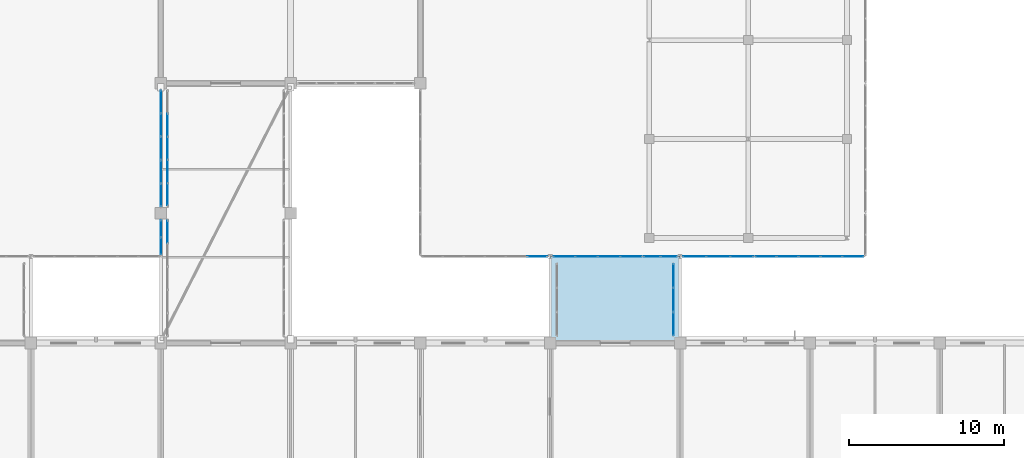
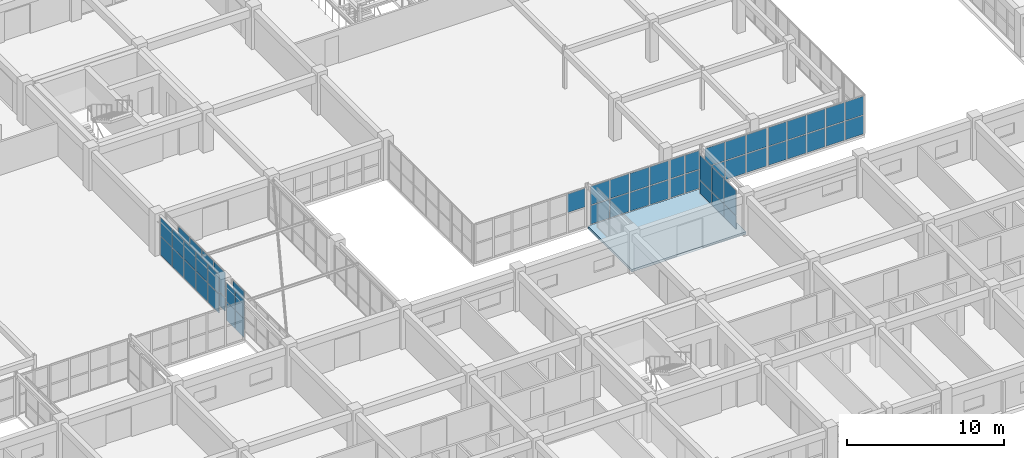
# One storey, part 149 of 200: 59 plates, 1 slab, 10 elements without a shape of their own.
"""IFC4 building model written with IfcOpenShell, lengths in metres."""

import ifcopenshell
import ifcopenshell.guid

model = None  # the IFC model being written
_history = None  # IfcOwnerHistory: only IFC2X3 demands one
_inside = {}  # id of a spatial element -> (the spatial element, [elements in it])
_under = {}  # id of a project, library or spatial element -> (it, [spatial elements below it])
_declared = {}  # id of a project -> (the project, [libraries it declares])
_typed = {}  # id of a type object -> (the type object, [elements of that type])
_made_of = {}  # id of a material, layer set ... -> (it, [elements and type objects made of it])


def new_model(schema):
    """Start an empty IFC model of exactly this schema.

    Asked for "IFC4X3", IfcOpenShell would pick the latest addendum, in which some entities
    have other attributes; the version numbers below select the first issue.
    IFC2X3 requires an IfcOwnerHistory on every rooted entity: one is made here for all.
    """
    global model, _history
    if schema == "IFC4X3":
        model = ifcopenshell.file(schema_version=(4, 3, 0, 0))
    else:
        model = ifcopenshell.file(schema=schema)
    _inside.clear()
    _under.clear()
    _declared.clear()
    _typed.clear()
    _made_of.clear()
    _history = None
    if model.schema == "IFC2X3":
        org = make("IfcOrganization", Name="unknown")
        user = make(
            "IfcPersonAndOrganization",
            ThePerson=make("IfcPerson", FamilyName="unknown"),
            TheOrganization=org,
        )
        app = make(
            "IfcApplication",
            ApplicationDeveloper=org,
            Version="unknown",
            ApplicationFullName="unknown",
            ApplicationIdentifier="unknown",
        )
        _history = make(
            "IfcOwnerHistory",
            OwningUser=user,
            OwningApplication=app,
            ChangeAction="ADDED",
            CreationDate=0,
        )
    return model


def make(cls, **values):
    """One entity of the class cls with the attributes given. An attribute that is None is left unset."""
    return model.create_entity(
        cls, **{name: value for name, value in values.items() if value is not None}
    )


def rooted(cls, **values):
    """An entity with a GlobalId (a new one), such as an element, a storey or a relation."""
    return make(cls, GlobalId=ifcopenshell.guid.new(), OwnerHistory=_history, **values)


def si_unit(unit_type, name, prefix=None):
    """IfcSIUnit, for example si_unit("LENGTHUNIT", "METRE", prefix="MILLI")."""
    return make("IfcSIUnit", UnitType=unit_type, Prefix=prefix, Name=name)


def assignment(units):
    """IfcUnitAssignment: the units of a project."""
    return None if units is None else make("IfcUnitAssignment", Units=units)


def point(xyz):
    """IfcCartesianPoint."""
    return None if xyz is None else make("IfcCartesianPoint", Coordinates=xyz)


def direction(xyz):
    """IfcDirection."""
    return None if xyz is None else make("IfcDirection", DirectionRatios=xyz)


def frame(location, z_axis=None, x_axis=None):
    """IfcAxis2Placement3D, a coordinate frame: its origin and axes. An axis left out is left unset."""
    return make(
        "IfcAxis2Placement3D",
        Location=point(location),
        Axis=direction(z_axis),
        RefDirection=direction(x_axis),
    )


def frame_2d(location, x_axis=None):
    """IfcAxis2Placement2D, a coordinate frame in the plane: its origin and x axis."""
    return make(
        "IfcAxis2Placement2D", Location=point(location), RefDirection=direction(x_axis)
    )


def origin():
    """The frame at (0, 0, 0) with its axes left unset."""
    return frame((0.0, 0.0, 0.0))


def origin_2d():
    """The frame at (0, 0) in the plane with its x axis left unset."""
    return frame_2d((0.0, 0.0))


def place(relative_to, where):
    """IfcLocalPlacement: puts the frame where relative to a parent placement (None: the world)."""
    return make(
        "IfcLocalPlacement", PlacementRelTo=relative_to, RelativePlacement=where
    )


def context(
    kind, dimensions, precision=None, world=None, true_north=None, identifier=None
):
    """IfcGeometricRepresentationContext, for example the 3D "Model" context."""
    return make(
        "IfcGeometricRepresentationContext",
        ContextIdentifier=identifier,
        ContextType=kind,
        CoordinateSpaceDimension=dimensions,
        Precision=precision,
        WorldCoordinateSystem=world,
        TrueNorth=true_north,
    )


def subcontext(parent, identifier, kind, view, scale=None):
    """IfcGeometricRepresentationSubContext, for example "Body" below "Model"."""
    return make(
        "IfcGeometricRepresentationSubContext",
        ContextIdentifier=identifier,
        ContextType=kind,
        ParentContext=parent,
        TargetScale=scale,
        TargetView=view,
    )


def project(units=None, contexts=None):
    """IfcProject with its units and contexts."""
    return rooted(
        "IfcProject",
        Name="project",
        RepresentationContexts=contexts,
        UnitsInContext=assignment(units),
    )


def spatial(cls, under=None, at=None, **own):
    """A site, building, storey or space (cls), placed at a placement, below another one or the project."""
    s = rooted(cls, ObjectPlacement=at, **own)
    if under is not None:
        _under.setdefault(under.id(), (under, []))[1].append(s)
    return s


def polyline(points):
    """IfcPolyline through the points."""
    return make("IfcPolyline", Points=[point(p) for p in points])


def profile(cls, at=None, kind="AREA", **sizes):
    """A parametric profile (cls). Its sizes go by their IFC names, for example OverallWidth=200.0."""
    return make(cls, ProfileType=kind, Position=at, **sizes)


def rectangle(**sizes):
    """IfcRectangleProfileDef."""
    return profile("IfcRectangleProfileDef", **sizes)


def outline(outer, holes=None, kind="AREA"):
    """IfcArbitraryClosedProfileDef: a profile drawn as a closed curve; with holes, ...WithVoids."""
    if holes is None:
        return make("IfcArbitraryClosedProfileDef", ProfileType=kind, OuterCurve=outer)
    return make(
        "IfcArbitraryProfileDefWithVoids",
        ProfileType=kind,
        OuterCurve=outer,
        InnerCurves=holes,
    )


def extrude(swept, where, along, depth):
    """IfcExtrudedAreaSolid: the profile swept, set in the frame where, extruded along a direction by depth."""
    return make(
        "IfcExtrudedAreaSolid",
        SweptArea=swept,
        Position=where,
        ExtrudedDirection=direction(along),
        Depth=depth,
    )


def shape(context_of_items, identifier, shape_type, items):
    """IfcShapeRepresentation: the items that make up one representation, for example the "Body"."""
    return make(
        "IfcShapeRepresentation",
        ContextOfItems=context_of_items,
        RepresentationIdentifier=identifier,
        RepresentationType=shape_type,
        Items=items,
    )


def material(Name=None, Category=None):
    """IfcMaterial."""
    return make("IfcMaterial", Name=Name, Category=Category)


def layer(
    of_material, thickness, ventilated=None, Name=None, Category=None, Priority=None
):
    """IfcMaterialLayer: one layer of a wall or slab, of a material (None: an air gap)."""
    return make(
        "IfcMaterialLayer",
        Material=of_material,
        LayerThickness=thickness,
        IsVentilated=ventilated,
        Name=Name,
        Category=Category,
        Priority=Priority,
    )


def layer_set(layers, Name=None):
    """IfcMaterialLayerSet."""
    return make("IfcMaterialLayerSet", MaterialLayers=layers, LayerSetName=Name)


def made_of(thing, what):
    """Note that an element or type object is made of a material, layer set ...; save() writes the relation."""
    if what is not None:
        _made_of.setdefault(what.id(), (what, []))[1].append(thing)
    return thing


def type_object(cls, material=None, **own):
    """A type object (cls), such as IfcWallType, which elements share."""
    return made_of(rooted(cls, **own), material)


def element(
    cls,
    number,
    at=None,
    inside=None,
    cuts=None,
    type_object=None,
    material=None,
    context=None,
    identifier="Body",
    shape_type=None,
    held_by="IfcProductDefinitionShape",
    body=None,
    shapes=None,
    **own,
):
    """One element of the class cls, such as IfcWall. Its Tag is "e" and its number.

    at: its placement. inside: the storey or other place that contains it. cuts: it is an
    opening in that element (IfcRelVoidsElement). A single representation is given by context,
    identifier, shape_type and body (its items); several are given by shapes. held_by: the class
    of the entity that holds the representations. save() writes the other relations.
    """
    e = rooted(cls, Tag="e%d" % number, ObjectPlacement=at, **own)
    if body is not None:
        shapes = [shape(context, identifier, shape_type, body)]
    if shapes is not None:
        e.Representation = make(held_by, Representations=shapes)
    if inside is not None:
        _inside.setdefault(inside.id(), (inside, []))[1].append(e)
    if cuts is not None:
        rooted(
            "IfcRelVoidsElement", RelatingBuildingElement=cuts, RelatedOpeningElement=e
        )
    if type_object is not None:
        _typed.setdefault(type_object.id(), (type_object, []))[1].append(e)
    return made_of(e, material)


def aggregate(whole, parts):
    """IfcRelAggregates: a whole, such as a stair, and the parts it consists of."""
    return rooted("IfcRelAggregates", RelatingObject=whole, RelatedObjects=parts)


def save(model, path):
    """Write the relations noted so far, then the file.

    IfcRelAggregates (storeys below a building ...), IfcRelContainedInSpatialStructure (elements
    in a storey), IfcRelDefinesByType, IfcRelAssociatesMaterial and IfcRelDeclares: one each for
    every whole, place, type object, material and project.
    """
    for whole, parts in _under.values():
        aggregate(whole, parts)
    for where, things in _inside.values():
        rooted(
            "IfcRelContainedInSpatialStructure",
            RelatedElements=things,
            RelatingStructure=where,
        )
    for kind, things in _typed.values():
        rooted("IfcRelDefinesByType", RelatedObjects=things, RelatingType=kind)
    for what, things in _made_of.values():
        rooted("IfcRelAssociatesMaterial", RelatedObjects=things, RelatingMaterial=what)
    for by, libraries in _declared.values():
        rooted("IfcRelDeclares", RelatingContext=by, RelatedDefinitions=libraries)
    model.write(path)


model = new_model("IFC4")

# Units and contexts
model_context = context("Model", 3, precision=1e-05, world=origin(), true_north=direction((0.0, 1.0)))
body_context = subcontext(model_context, "Body", "Model", "MODEL_VIEW")
ifc_project = project(units=[si_unit("LENGTHUNIT", "METRE"), si_unit("AREAUNIT", "SQUARE_METRE"), si_unit("VOLUMEUNIT", "CUBIC_METRE"), si_unit("PLANEANGLEUNIT", "RADIAN"), si_unit("MASSUNIT", "GRAM", prefix="KILO")], contexts=[model_context])

# Site, building, storey
site_placement = place(None, origin())
site = spatial("IfcSite", under=ifc_project, at=site_placement, CompositionType="ELEMENT")
building_placement = place(site_placement, origin())
building = spatial("IfcBuilding", under=site, at=building_placement, Name="Trelvath General Hospital", CompositionType="ELEMENT")
storey_placement = place(building_placement, frame((0.0, 0.0, 4.800048828125)))
storey = spatial("IfcBuildingStorey", under=building, at=storey_placement, Name="L01", CompositionType="ELEMENT", Elevation=4.800048828125)

# Slab
ifc_material_1 = material(Name="Concrete C35/45", Category="concrete")
ifc_layer_1 = layer(ifc_material_1, 0.18994140625)
ifc_layer_set_1 = layer_set([ifc_layer_1], Name="Concrete C35/45")
slab_type = type_object("IfcSlabType", Name="BridgeDeck 190", PredefinedType="FLOOR", material=ifc_layer_set_1)
slab_placement = place(storey_placement, frame((0.0, 0.0, -0.18994140625)))
element("IfcSlab", 1, at=slab_placement, inside=storey, type_object=slab_type, Name="Courtyard Bridge Deck BRG-S-E L01", PredefinedType="FLOOR", context=body_context, shape_type="SweptSolid", body=[
    extrude(outline(polyline([(100.800048828125, 25.199951171875), (109.199951171875, 25.199951171875), (109.199951171875, 30.800048828125), (100.800048828125, 30.800048828125), (100.800048828125, 25.199951171875)])), origin(), (0.0, 0.0, 1.0), 0.18994140625),
])

# Curtain wall, plates
ifc_material_2 = material(Name="Anodised aluminium and low-E glass", Category="aluminium")
ifc_layer_2 = layer(ifc_material_2, 0.14990234375)
ifc_layer_set_2 = layer_set([ifc_layer_2], Name="Anodised aluminium and low-E glass")
curtain_wall_type_1 = type_object("IfcCurtainWallType", Name="CW CrystalCube 232 306 15", PredefinedType="USERDEFINED", material=ifc_layer_set_2)
curtain_wall_1_placement = place(storey_placement, origin())
curtain_wall_1 = element("IfcCurtainWall", 2, at=curtain_wall_1_placement, inside=storey, type_object=curtain_wall_type_1, Name="Crystal Cube Curtain Wall CUBE-W-T0 E1 L01", ObjectType="Unitised Glazed Curtain Wall", PredefinedType="USERDEFINED")
ifc_material_3 = material(Name="Low-E laminated glass", Category="glass")
ifc_layer_3 = layer(ifc_material_3, 0.028076171875)
ifc_layer_set_3 = layer_set([ifc_layer_3], Name="Low-E laminated glass")
plate_type = type_object("IfcPlateType", Name="CurtainPanel Glass28", PredefinedType="CURTAIN_PANEL", material=ifc_layer_set_3)
plate_1_placement = place(storey_placement, frame((75.60009765625, 32.601318359375, 0.06005859375), z_axis=(0.0, 0.0, 1.0), x_axis=(0.0, -1.0, 0.0)))
plate_1 = element("IfcPlate", 3, at=plate_1_placement, type_object=plate_type, Name="CW-139 panel 1.1", PredefinedType="CURTAIN_PANEL", context=body_context, shape_type="SweptSolid", body=[
    extrude(rectangle(XDim=1.0673828125, YDim=0.028076171875, at=origin_2d()), origin(), (0.0, 0.0, 1.0), 1.43994140625),
])
plate_2_placement = place(storey_placement, frame((75.60009765625, 32.601318359375, 1.56005859375), z_axis=(0.0, 0.0, 1.0), x_axis=(0.0, -1.0, 0.0)))
plate_2 = element("IfcPlate", 4, at=plate_2_placement, type_object=plate_type, Name="CW-139 panel 1.2", PredefinedType="CURTAIN_PANEL", context=body_context, shape_type="SweptSolid", body=[
    extrude(rectangle(XDim=1.0673828125, YDim=0.028076171875, at=origin_2d()), origin(), (0.0, 0.0, 1.0), 1.43994140625),
])
plate_3_placement = place(storey_placement, frame((75.60009765625, 31.4736328125, 0.06005859375), z_axis=(0.0, 0.0, 1.0), x_axis=(0.0, -1.0, 0.0)))
plate_3 = element("IfcPlate", 5, at=plate_3_placement, type_object=plate_type, Name="CW-139 panel 2.1", PredefinedType="CURTAIN_PANEL", context=body_context, shape_type="SweptSolid", body=[
    extrude(rectangle(XDim=1.0673828125, YDim=0.028076171875, at=origin_2d()), origin(), (0.0, 0.0, 1.0), 1.43994140625),
])
plate_4_placement = place(storey_placement, frame((75.60009765625, 31.4736328125, 1.56005859375), z_axis=(0.0, 0.0, 1.0), x_axis=(0.0, -1.0, 0.0)))
plate_4 = element("IfcPlate", 6, at=plate_4_placement, type_object=plate_type, Name="CW-139 panel 2.2", PredefinedType="CURTAIN_PANEL", context=body_context, shape_type="SweptSolid", body=[
    extrude(rectangle(XDim=1.0673828125, YDim=0.028076171875, at=origin_2d()), origin(), (0.0, 0.0, 1.0), 1.43994140625),
])
aggregate(curtain_wall_1, [plate_1, plate_2, plate_3, plate_4])

ifc_material_4 = material(Name="Anodised aluminium and low-E glass", Category="aluminium")
ifc_layer_4 = layer(ifc_material_4, 0.14990234375)
ifc_layer_set_4 = layer_set([ifc_layer_4], Name="Anodised aluminium and low-E glass")
curtain_wall_type_2 = type_object("IfcCurtainWallType", Name="CW CrystalCube 759 306 15", PredefinedType="USERDEFINED", material=ifc_layer_set_4)
curtain_wall_2_placement = place(storey_placement, origin())
curtain_wall_2 = element("IfcCurtainWall", 7, at=curtain_wall_2_placement, inside=storey, type_object=curtain_wall_type_2, Name="Crystal Cube Curtain Wall CUBE-W-T0 E2 L01", ObjectType="Unitised Glazed Curtain Wall", PredefinedType="USERDEFINED")
plate_5_placement = place(storey_placement, frame((75.60009765625, 40.821044921875, 0.06005859375), z_axis=(0.0, 0.0, 1.0), x_axis=(0.0, -1.0, 0.0)))
plate_5 = element("IfcPlate", 8, at=plate_5_placement, type_object=plate_type, Name="CW-141 panel 1.1", PredefinedType="CURTAIN_PANEL", context=body_context, shape_type="SweptSolid", body=[
    extrude(rectangle(XDim=1.427978515625, YDim=0.028076171875, at=origin_2d()), origin(), (0.0, 0.0, 1.0), 1.43994140625),
])
plate_6_placement = place(storey_placement, frame((75.60009765625, 40.821044921875, 1.56005859375), z_axis=(0.0, 0.0, 1.0), x_axis=(0.0, -1.0, 0.0)))
plate_6 = element("IfcPlate", 9, at=plate_6_placement, type_object=plate_type, Name="CW-141 panel 1.2", PredefinedType="CURTAIN_PANEL", context=body_context, shape_type="SweptSolid", body=[
    extrude(rectangle(XDim=1.427978515625, YDim=0.028076171875, at=origin_2d()), origin(), (0.0, 0.0, 1.0), 1.43994140625),
])
plate_7_placement = place(storey_placement, frame((75.60009765625, 39.318115234375, 0.06005859375), z_axis=(0.0, 0.0, 1.0), x_axis=(0.0, -1.0, 0.0)))
plate_7 = element("IfcPlate", 10, at=plate_7_placement, type_object=plate_type, Name="CW-141 panel 2.1", PredefinedType="CURTAIN_PANEL", context=body_context, shape_type="SweptSolid", body=[
    extrude(rectangle(XDim=1.4580078125, YDim=0.028076171875, at=origin_2d()), origin(), (0.0, 0.0, 1.0), 1.43994140625),
])
plate_8_placement = place(storey_placement, frame((75.60009765625, 39.318115234375, 1.56005859375), z_axis=(0.0, 0.0, 1.0), x_axis=(0.0, -1.0, 0.0)))
plate_8 = element("IfcPlate", 11, at=plate_8_placement, type_object=plate_type, Name="CW-141 panel 2.2", PredefinedType="CURTAIN_PANEL", context=body_context, shape_type="SweptSolid", body=[
    extrude(rectangle(XDim=1.4580078125, YDim=0.028076171875, at=origin_2d()), origin(), (0.0, 0.0, 1.0), 1.43994140625),
])
plate_9_placement = place(storey_placement, frame((75.60009765625, 37.800048828125, 0.06005859375), z_axis=(0.0, 0.0, 1.0), x_axis=(0.0, -1.0, 0.0)))
plate_9 = element("IfcPlate", 12, at=plate_9_placement, type_object=plate_type, Name="CW-141 panel 3.1", PredefinedType="CURTAIN_PANEL", context=body_context, shape_type="SweptSolid", body=[
    extrude(rectangle(XDim=1.4580078125, YDim=0.028076171875, at=origin_2d()), origin(), (0.0, 0.0, 1.0), 1.43994140625),
])
plate_10_placement = place(storey_placement, frame((75.60009765625, 37.800048828125, 1.56005859375), z_axis=(0.0, 0.0, 1.0), x_axis=(0.0, -1.0, 0.0)))
plate_10 = element("IfcPlate", 13, at=plate_10_placement, type_object=plate_type, Name="CW-141 panel 3.2", PredefinedType="CURTAIN_PANEL", context=body_context, shape_type="SweptSolid", body=[
    extrude(rectangle(XDim=1.4580078125, YDim=0.028076171875, at=origin_2d()), origin(), (0.0, 0.0, 1.0), 1.43994140625),
])
plate_11_placement = place(storey_placement, frame((75.60009765625, 36.281982421875, 0.06005859375), z_axis=(0.0, 0.0, 1.0), x_axis=(0.0, -1.0, 0.0)))
plate_11 = element("IfcPlate", 14, at=plate_11_placement, type_object=plate_type, Name="CW-141 panel 4.1", PredefinedType="CURTAIN_PANEL", context=body_context, shape_type="SweptSolid", body=[
    extrude(rectangle(XDim=1.4580078125, YDim=0.028076171875, at=origin_2d()), origin(), (0.0, 0.0, 1.0), 1.43994140625),
])
plate_12_placement = place(storey_placement, frame((75.60009765625, 36.281982421875, 1.56005859375), z_axis=(0.0, 0.0, 1.0), x_axis=(0.0, -1.0, 0.0)))
plate_12 = element("IfcPlate", 15, at=plate_12_placement, type_object=plate_type, Name="CW-141 panel 4.2", PredefinedType="CURTAIN_PANEL", context=body_context, shape_type="SweptSolid", body=[
    extrude(rectangle(XDim=1.4580078125, YDim=0.028076171875, at=origin_2d()), origin(), (0.0, 0.0, 1.0), 1.43994140625),
])
plate_13_placement = place(storey_placement, frame((75.60009765625, 34.779052734375, 0.06005859375), z_axis=(0.0, 0.0, 1.0), x_axis=(0.0, -1.0, 0.0)))
plate_13 = element("IfcPlate", 16, at=plate_13_placement, type_object=plate_type, Name="CW-141 panel 5.1", PredefinedType="CURTAIN_PANEL", context=body_context, shape_type="SweptSolid", body=[
    extrude(rectangle(XDim=1.427978515625, YDim=0.028076171875, at=origin_2d()), origin(), (0.0, 0.0, 1.0), 1.43994140625),
])
plate_14_placement = place(storey_placement, frame((75.60009765625, 34.779052734375, 1.56005859375), z_axis=(0.0, 0.0, 1.0), x_axis=(0.0, -1.0, 0.0)))
plate_14 = element("IfcPlate", 17, at=plate_14_placement, type_object=plate_type, Name="CW-141 panel 5.2", PredefinedType="CURTAIN_PANEL", context=body_context, shape_type="SweptSolid", body=[
    extrude(rectangle(XDim=1.427978515625, YDim=0.028076171875, at=origin_2d()), origin(), (0.0, 0.0, 1.0), 1.43994140625),
])
aggregate(curtain_wall_2, [plate_5, plate_6, plate_7, plate_8, plate_9, plate_10, plate_11, plate_12, plate_13, plate_14])

# Curtain wall, plate
ifc_material_5 = material(Name="Anodised aluminium and low-E glass", Category="aluminium")
ifc_layer_5 = layer(ifc_material_5, 0.14990234375)
ifc_layer_set_5 = layer_set([ifc_layer_5], Name="Anodised aluminium and low-E glass")
curtain_wall_type_3 = type_object("IfcCurtainWallType", Name="CW CrystalCube 817 306 15", PredefinedType="USERDEFINED", material=ifc_layer_set_5)
curtain_wall_3_placement = place(storey_placement, origin())
curtain_wall_3 = element("IfcCurtainWall", 18, at=curtain_wall_3_placement, inside=storey, type_object=curtain_wall_type_3, Name="Crystal Cube Curtain Wall CUBE-E-T0 S1 L01", ObjectType="Unitised Glazed Curtain Wall", PredefinedType="USERDEFINED")
plate_15_placement = place(storey_placement, frame((99.9541015625, 30.800048828125, 1.56005859375), z_axis=(0.0, 0.0, 1.0), x_axis=(-1.0, 0.0, 0.0)))
plate_15 = element("IfcPlate", 19, at=plate_15_placement, type_object=plate_type, Name="CW-150 panel 1.2", PredefinedType="CURTAIN_PANEL", context=body_context, shape_type="SweptSolid", body=[
    extrude(rectangle(XDim=1.271728515625, YDim=0.028076171875, at=origin_2d()), origin(), (0.0, 0.0, 1.0), 1.43994140625),
])
aggregate(curtain_wall_3, [plate_15])

# Curtain wall, plates
ifc_material_6 = material(Name="Anodised aluminium and low-E glass", Category="aluminium")
ifc_layer_6 = layer(ifc_material_6, 0.14990234375)
ifc_layer_set_6 = layer_set([ifc_layer_6], Name="Anodised aluminium and low-E glass")
curtain_wall_type_4 = type_object("IfcCurtainWallType", Name="CW CrystalCube 583 306 15", PredefinedType="USERDEFINED", material=ifc_layer_set_6)
curtain_wall_4_placement = place(storey_placement, origin())
curtain_wall_4 = element("IfcCurtainWall", 20, at=curtain_wall_4_placement, inside=storey, type_object=curtain_wall_type_4, Name="Crystal Cube Curtain Wall CUBE-E-T0 S2 L01", ObjectType="Unitised Glazed Curtain Wall", PredefinedType="USERDEFINED")
plate_16_placement = place(storey_placement, frame((106.0361328125, 30.800048828125, 0.06005859375), z_axis=(0.0, 0.0, 1.0), x_axis=(-1.0, 0.0, 0.0)))
plate_16 = element("IfcPlate", 21, at=plate_16_placement, type_object=plate_type, Name="CW-151 panel 1.1", PredefinedType="CURTAIN_PANEL", context=body_context, shape_type="SweptSolid", body=[
    extrude(rectangle(XDim=1.367431640625, YDim=0.028076171875, at=origin_2d()), origin(), (0.0, 0.0, 1.0), 1.43994140625),
])
plate_17_placement = place(storey_placement, frame((106.0361328125, 30.800048828125, 1.56005859375), z_axis=(0.0, 0.0, 1.0), x_axis=(-1.0, 0.0, 0.0)))
plate_17 = element("IfcPlate", 22, at=plate_17_placement, type_object=plate_type, Name="CW-151 panel 1.2", PredefinedType="CURTAIN_PANEL", context=body_context, shape_type="SweptSolid", body=[
    extrude(rectangle(XDim=1.367431640625, YDim=0.028076171875, at=origin_2d()), origin(), (0.0, 0.0, 1.0), 1.43994140625),
])
plate_18_placement = place(storey_placement, frame((104.59375, 30.800048828125, 0.06005859375), z_axis=(0.0, 0.0, 1.0), x_axis=(-1.0, 0.0, 0.0)))
plate_18 = element("IfcPlate", 23, at=plate_18_placement, type_object=plate_type, Name="CW-151 panel 2.1", PredefinedType="CURTAIN_PANEL", context=body_context, shape_type="SweptSolid", body=[
    extrude(rectangle(XDim=1.3974609375, YDim=0.028076171875, at=origin_2d()), origin(), (0.0, 0.0, 1.0), 1.43994140625),
])
plate_19_placement = place(storey_placement, frame((104.59375, 30.800048828125, 1.56005859375), z_axis=(0.0, 0.0, 1.0), x_axis=(-1.0, 0.0, 0.0)))
plate_19 = element("IfcPlate", 24, at=plate_19_placement, type_object=plate_type, Name="CW-151 panel 2.2", PredefinedType="CURTAIN_PANEL", context=body_context, shape_type="SweptSolid", body=[
    extrude(rectangle(XDim=1.3974609375, YDim=0.028076171875, at=origin_2d()), origin(), (0.0, 0.0, 1.0), 1.43994140625),
])
plate_20_placement = place(storey_placement, frame((103.13623046875, 30.800048828125, 0.06005859375), z_axis=(0.0, 0.0, 1.0), x_axis=(-1.0, 0.0, 0.0)))
plate_20 = element("IfcPlate", 25, at=plate_20_placement, type_object=plate_type, Name="CW-151 panel 3.1", PredefinedType="CURTAIN_PANEL", context=body_context, shape_type="SweptSolid", body=[
    extrude(rectangle(XDim=1.3974609375, YDim=0.028076171875, at=origin_2d()), origin(), (0.0, 0.0, 1.0), 1.43994140625),
])
plate_21_placement = place(storey_placement, frame((103.13623046875, 30.800048828125, 1.56005859375), z_axis=(0.0, 0.0, 1.0), x_axis=(-1.0, 0.0, 0.0)))
plate_21 = element("IfcPlate", 26, at=plate_21_placement, type_object=plate_type, Name="CW-151 panel 3.2", PredefinedType="CURTAIN_PANEL", context=body_context, shape_type="SweptSolid", body=[
    extrude(rectangle(XDim=1.3974609375, YDim=0.028076171875, at=origin_2d()), origin(), (0.0, 0.0, 1.0), 1.43994140625),
])
plate_22_placement = place(storey_placement, frame((101.69384765625, 30.800048828125, 0.06005859375), z_axis=(0.0, 0.0, 1.0), x_axis=(-1.0, 0.0, 0.0)))
plate_22 = element("IfcPlate", 27, at=plate_22_placement, type_object=plate_type, Name="CW-151 panel 4.1", PredefinedType="CURTAIN_PANEL", context=body_context, shape_type="SweptSolid", body=[
    extrude(rectangle(XDim=1.367431640625, YDim=0.028076171875, at=origin_2d()), origin(), (0.0, 0.0, 1.0), 1.43994140625),
])
plate_23_placement = place(storey_placement, frame((101.69384765625, 30.800048828125, 1.56005859375), z_axis=(0.0, 0.0, 1.0), x_axis=(-1.0, 0.0, 0.0)))
plate_23 = element("IfcPlate", 28, at=plate_23_placement, type_object=plate_type, Name="CW-151 panel 4.2", PredefinedType="CURTAIN_PANEL", context=body_context, shape_type="SweptSolid", body=[
    extrude(rectangle(XDim=1.367431640625, YDim=0.028076171875, at=origin_2d()), origin(), (0.0, 0.0, 1.0), 1.43994140625),
])
aggregate(curtain_wall_4, [plate_16, plate_17, plate_18, plate_19, plate_20, plate_21, plate_22, plate_23])

ifc_material_7 = material(Name="Anodised aluminium and low-E glass", Category="aluminium")
ifc_layer_7 = layer(ifc_material_7, 0.14990234375)
ifc_layer_set_7 = layer_set([ifc_layer_7], Name="Anodised aluminium and low-E glass")
curtain_wall_type_5 = type_object("IfcCurtainWallType", Name="CW CrystalCube 223 306 15", PredefinedType="USERDEFINED", material=ifc_layer_set_7)
curtain_wall_5_placement = place(storey_placement, origin())
curtain_wall_5 = element("IfcCurtainWall", 29, at=curtain_wall_5_placement, inside=storey, type_object=curtain_wall_type_5, Name="Crystal Cube Curtain Wall CUBE-E-T0 S3 L01", ObjectType="Unitised Glazed Curtain Wall", PredefinedType="USERDEFINED")
plate_24_placement = place(storey_placement, frame((108.4775390625, 30.800048828125, 0.06005859375), z_axis=(0.0, 0.0, 1.0), x_axis=(-1.0, 0.0, 0.0)))
plate_24 = element("IfcPlate", 30, at=plate_24_placement, type_object=plate_type, Name="CW-152 panel 1.1", PredefinedType="CURTAIN_PANEL", context=body_context, shape_type="SweptSolid", body=[
    extrude(rectangle(XDim=1.02490234375, YDim=0.028076171875, at=origin_2d()), origin(), (0.0, 0.0, 1.0), 1.43994140625),
])
plate_25_placement = place(storey_placement, frame((108.4775390625, 30.800048828125, 1.56005859375), z_axis=(0.0, 0.0, 1.0), x_axis=(-1.0, 0.0, 0.0)))
plate_25 = element("IfcPlate", 31, at=plate_25_placement, type_object=plate_type, Name="CW-152 panel 1.2", PredefinedType="CURTAIN_PANEL", context=body_context, shape_type="SweptSolid", body=[
    extrude(rectangle(XDim=1.02490234375, YDim=0.028076171875, at=origin_2d()), origin(), (0.0, 0.0, 1.0), 1.43994140625),
])
plate_26_placement = place(storey_placement, frame((107.392578125, 30.800048828125, 0.06005859375), z_axis=(0.0, 0.0, 1.0), x_axis=(-1.0, 0.0, 0.0)))
plate_26 = element("IfcPlate", 32, at=plate_26_placement, type_object=plate_type, Name="CW-152 panel 2.1", PredefinedType="CURTAIN_PANEL", context=body_context, shape_type="SweptSolid", body=[
    extrude(rectangle(XDim=1.02490234375, YDim=0.028076171875, at=origin_2d()), origin(), (0.0, 0.0, 1.0), 1.43994140625),
])
plate_27_placement = place(storey_placement, frame((107.392578125, 30.800048828125, 1.56005859375), z_axis=(0.0, 0.0, 1.0), x_axis=(-1.0, 0.0, 0.0)))
plate_27 = element("IfcPlate", 33, at=plate_27_placement, type_object=plate_type, Name="CW-152 panel 2.2", PredefinedType="CURTAIN_PANEL", context=body_context, shape_type="SweptSolid", body=[
    extrude(rectangle(XDim=1.02490234375, YDim=0.028076171875, at=origin_2d()), origin(), (0.0, 0.0, 1.0), 1.43994140625),
])
aggregate(curtain_wall_5, [plate_24, plate_25, plate_26, plate_27])

ifc_material_8 = material(Name="Anodised aluminium and low-E glass", Category="aluminium")
ifc_layer_8 = layer(ifc_material_8, 0.14990234375)
ifc_layer_set_8 = layer_set([ifc_layer_8], Name="Anodised aluminium and low-E glass")
curtain_wall_type_6 = type_object("IfcCurtainWallType", Name="CW CrystalCube 463 306 15", PredefinedType="USERDEFINED", material=ifc_layer_set_8)
curtain_wall_6_placement = place(storey_placement, origin())
curtain_wall_6 = element("IfcCurtainWall", 34, at=curtain_wall_6_placement, inside=storey, type_object=curtain_wall_type_6, Name="Crystal Cube Curtain Wall CUBE-E-T0 S4 L01", ObjectType="Unitised Glazed Curtain Wall", PredefinedType="USERDEFINED")
plate_28_placement = place(storey_placement, frame((113.193359375, 30.800048828125, 0.06005859375), z_axis=(0.0, 0.0, 1.0), x_axis=(-1.0, 0.0, 0.0)))
plate_28 = element("IfcPlate", 35, at=plate_28_placement, type_object=plate_type, Name="CW-153 panel 1.1", PredefinedType="CURTAIN_PANEL", context=body_context, shape_type="SweptSolid", body=[
    extrude(rectangle(XDim=1.453369140625, YDim=0.028076171875, at=origin_2d()), origin(), (0.0, 0.0, 1.0), 1.43994140625),
])
plate_29_placement = place(storey_placement, frame((113.193359375, 30.800048828125, 1.56005859375), z_axis=(0.0, 0.0, 1.0), x_axis=(-1.0, 0.0, 0.0)))
plate_29 = element("IfcPlate", 36, at=plate_29_placement, type_object=plate_type, Name="CW-153 panel 1.2", PredefinedType="CURTAIN_PANEL", context=body_context, shape_type="SweptSolid", body=[
    extrude(rectangle(XDim=1.453369140625, YDim=0.028076171875, at=origin_2d()), origin(), (0.0, 0.0, 1.0), 1.43994140625),
])
plate_30_placement = place(storey_placement, frame((111.6650390625, 30.800048828125, 0.06005859375), z_axis=(0.0, 0.0, 1.0), x_axis=(-1.0, 0.0, 0.0)))
plate_30 = element("IfcPlate", 37, at=plate_30_placement, type_object=plate_type, Name="CW-153 panel 2.1", PredefinedType="CURTAIN_PANEL", context=body_context, shape_type="SweptSolid", body=[
    extrude(rectangle(XDim=1.4833984375, YDim=0.028076171875, at=origin_2d()), origin(), (0.0, 0.0, 1.0), 1.43994140625),
])
plate_31_placement = place(storey_placement, frame((111.6650390625, 30.800048828125, 1.56005859375), z_axis=(0.0, 0.0, 1.0), x_axis=(-1.0, 0.0, 0.0)))
plate_31 = element("IfcPlate", 38, at=plate_31_placement, type_object=plate_type, Name="CW-153 panel 2.2", PredefinedType="CURTAIN_PANEL", context=body_context, shape_type="SweptSolid", body=[
    extrude(rectangle(XDim=1.4833984375, YDim=0.028076171875, at=origin_2d()), origin(), (0.0, 0.0, 1.0), 1.43994140625),
])
plate_32_placement = place(storey_placement, frame((110.13671875, 30.800048828125, 0.06005859375), z_axis=(0.0, 0.0, 1.0), x_axis=(-1.0, 0.0, 0.0)))
plate_32 = element("IfcPlate", 39, at=plate_32_placement, type_object=plate_type, Name="CW-153 panel 3.1", PredefinedType="CURTAIN_PANEL", context=body_context, shape_type="SweptSolid", body=[
    extrude(rectangle(XDim=1.453369140625, YDim=0.028076171875, at=origin_2d()), origin(), (0.0, 0.0, 1.0), 1.43994140625),
])
plate_33_placement = place(storey_placement, frame((110.13671875, 30.800048828125, 1.56005859375), z_axis=(0.0, 0.0, 1.0), x_axis=(-1.0, 0.0, 0.0)))
plate_33 = element("IfcPlate", 40, at=plate_33_placement, type_object=plate_type, Name="CW-153 panel 3.2", PredefinedType="CURTAIN_PANEL", context=body_context, shape_type="SweptSolid", body=[
    extrude(rectangle(XDim=1.453369140625, YDim=0.028076171875, at=origin_2d()), origin(), (0.0, 0.0, 1.0), 1.43994140625),
])
aggregate(curtain_wall_6, [plate_28, plate_29, plate_30, plate_31, plate_32, plate_33])

ifc_material_9 = material(Name="Anodised aluminium and low-E glass", Category="aluminium")
ifc_layer_9 = layer(ifc_material_9, 0.14990234375)
ifc_layer_set_9 = layer_set([ifc_layer_9], Name="Anodised aluminium and low-E glass")
curtain_wall_type_7 = type_object("IfcCurtainWallType", Name="CW CrystalCube 710 306 15", PredefinedType="USERDEFINED", material=ifc_layer_set_9)
curtain_wall_7_placement = place(storey_placement, origin())
curtain_wall_7 = element("IfcCurtainWall", 41, at=curtain_wall_7_placement, inside=storey, type_object=curtain_wall_type_7, Name="Crystal Cube Curtain Wall CUBE-E-T0 S5 L01", ObjectType="Unitised Glazed Curtain Wall", PredefinedType="USERDEFINED")
plate_34_placement = place(storey_placement, frame((120.39501953125, 30.800048828125, 0.06005859375), z_axis=(0.0, 0.0, 1.0), x_axis=(-1.0, 0.0, 0.0)))
plate_34 = element("IfcPlate", 42, at=plate_34_placement, type_object=plate_type, Name="CW-154 panel 1.1", PredefinedType="CURTAIN_PANEL", context=body_context, shape_type="SweptSolid", body=[
    extrude(rectangle(XDim=1.330078125, YDim=0.028076171875, at=origin_2d()), origin(), (0.0, 0.0, 1.0), 1.43994140625),
])
plate_35_placement = place(storey_placement, frame((120.39501953125, 30.800048828125, 1.56005859375), z_axis=(0.0, 0.0, 1.0), x_axis=(-1.0, 0.0, 0.0)))
plate_35 = element("IfcPlate", 43, at=plate_35_placement, type_object=plate_type, Name="CW-154 panel 1.2", PredefinedType="CURTAIN_PANEL", context=body_context, shape_type="SweptSolid", body=[
    extrude(rectangle(XDim=1.330078125, YDim=0.028076171875, at=origin_2d()), origin(), (0.0, 0.0, 1.0), 1.43994140625),
])
plate_36_placement = place(storey_placement, frame((118.989990234375, 30.800048828125, 0.06005859375), z_axis=(0.0, 0.0, 1.0), x_axis=(-1.0, 0.0, 0.0)))
plate_36 = element("IfcPlate", 44, at=plate_36_placement, type_object=plate_type, Name="CW-154 panel 2.1", PredefinedType="CURTAIN_PANEL", context=body_context, shape_type="SweptSolid", body=[
    extrude(rectangle(XDim=1.360107421875, YDim=0.028076171875, at=origin_2d()), origin(), (0.0, 0.0, 1.0), 1.43994140625),
])
plate_37_placement = place(storey_placement, frame((118.989990234375, 30.800048828125, 1.56005859375), z_axis=(0.0, 0.0, 1.0), x_axis=(-1.0, 0.0, 0.0)))
plate_37 = element("IfcPlate", 45, at=plate_37_placement, type_object=plate_type, Name="CW-154 panel 2.2", PredefinedType="CURTAIN_PANEL", context=body_context, shape_type="SweptSolid", body=[
    extrude(rectangle(XDim=1.360107421875, YDim=0.028076171875, at=origin_2d()), origin(), (0.0, 0.0, 1.0), 1.43994140625),
])
plate_38_placement = place(storey_placement, frame((117.570068359375, 30.800048828125, 0.06005859375), z_axis=(0.0, 0.0, 1.0), x_axis=(-1.0, 0.0, 0.0)))
plate_38 = element("IfcPlate", 46, at=plate_38_placement, type_object=plate_type, Name="CW-154 panel 3.1", PredefinedType="CURTAIN_PANEL", context=body_context, shape_type="SweptSolid", body=[
    extrude(rectangle(XDim=1.360107421875, YDim=0.028076171875, at=origin_2d()), origin(), (0.0, 0.0, 1.0), 1.43994140625),
])
plate_39_placement = place(storey_placement, frame((117.570068359375, 30.800048828125, 1.56005859375), z_axis=(0.0, 0.0, 1.0), x_axis=(-1.0, 0.0, 0.0)))
plate_39 = element("IfcPlate", 47, at=plate_39_placement, type_object=plate_type, Name="CW-154 panel 3.2", PredefinedType="CURTAIN_PANEL", context=body_context, shape_type="SweptSolid", body=[
    extrude(rectangle(XDim=1.360107421875, YDim=0.028076171875, at=origin_2d()), origin(), (0.0, 0.0, 1.0), 1.43994140625),
])
plate_40_placement = place(storey_placement, frame((116.14990234375, 30.800048828125, 0.06005859375), z_axis=(0.0, 0.0, 1.0), x_axis=(-1.0, 0.0, 0.0)))
plate_40 = element("IfcPlate", 48, at=plate_40_placement, type_object=plate_type, Name="CW-154 panel 4.1", PredefinedType="CURTAIN_PANEL", context=body_context, shape_type="SweptSolid", body=[
    extrude(rectangle(XDim=1.360107421875, YDim=0.028076171875, at=origin_2d()), origin(), (0.0, 0.0, 1.0), 1.43994140625),
])
plate_41_placement = place(storey_placement, frame((116.14990234375, 30.800048828125, 1.56005859375), z_axis=(0.0, 0.0, 1.0), x_axis=(-1.0, 0.0, 0.0)))
plate_41 = element("IfcPlate", 49, at=plate_41_placement, type_object=plate_type, Name="CW-154 panel 4.2", PredefinedType="CURTAIN_PANEL", context=body_context, shape_type="SweptSolid", body=[
    extrude(rectangle(XDim=1.360107421875, YDim=0.028076171875, at=origin_2d()), origin(), (0.0, 0.0, 1.0), 1.43994140625),
])
plate_42_placement = place(storey_placement, frame((114.7451171875, 30.800048828125, 0.06005859375), z_axis=(0.0, 0.0, 1.0), x_axis=(-1.0, 0.0, 0.0)))
plate_42 = element("IfcPlate", 50, at=plate_42_placement, type_object=plate_type, Name="CW-154 panel 5.1", PredefinedType="CURTAIN_PANEL", context=body_context, shape_type="SweptSolid", body=[
    extrude(rectangle(XDim=1.330078125, YDim=0.028076171875, at=origin_2d()), origin(), (0.0, 0.0, 1.0), 1.43994140625),
])
plate_43_placement = place(storey_placement, frame((114.7451171875, 30.800048828125, 1.56005859375), z_axis=(0.0, 0.0, 1.0), x_axis=(-1.0, 0.0, 0.0)))
plate_43 = element("IfcPlate", 51, at=plate_43_placement, type_object=plate_type, Name="CW-154 panel 5.2", PredefinedType="CURTAIN_PANEL", context=body_context, shape_type="SweptSolid", body=[
    extrude(rectangle(XDim=1.330078125, YDim=0.028076171875, at=origin_2d()), origin(), (0.0, 0.0, 1.0), 1.43994140625),
])
aggregate(curtain_wall_7, [plate_34, plate_35, plate_36, plate_37, plate_38, plate_39, plate_40, plate_41, plate_42, plate_43])

ifc_material_10 = material(Name="Anodised aluminium and low-E glass", Category="aluminium")
ifc_layer_10 = layer(ifc_material_10, 0.139892578125)
ifc_layer_set_10 = layer_set([ifc_layer_10], Name="Anodised aluminium and low-E glass")
curtain_wall_type_8 = type_object("IfcCurtainWallType", Name="CW Bridge 752 311", PredefinedType="USERDEFINED", material=ifc_layer_set_10)
curtain_wall_8_placement = place(storey_placement, origin())
curtain_wall_8 = element("IfcCurtainWall", 52, at=curtain_wall_8_placement, inside=storey, type_object=curtain_wall_type_8, Name="Glazed Bridge Curtain Wall BRG-S-C W L01", ObjectType="Unitised Glazed Curtain Wall", PredefinedType="USERDEFINED")
plate_44_placement = place(storey_placement, frame((76.0400390625, 32.39306640625, 0.06005859375), z_axis=(0.0, 0.0, 1.0), x_axis=(0.0, 1.0, 0.0)))
plate_44 = element("IfcPlate", 53, at=plate_44_placement, type_object=plate_type, Name="CW-178 panel 5.1", PredefinedType="CURTAIN_PANEL", context=body_context, shape_type="SweptSolid", body=[
    extrude(rectangle(XDim=1.4140625, YDim=0.028076171875, at=origin_2d()), origin(), (0.0, 0.0, 1.0), 1.010009765625),
])
plate_45_placement = place(storey_placement, frame((76.0400390625, 32.39306640625, 1.1298828125), z_axis=(0.0, 0.0, 1.0), x_axis=(0.0, 1.0, 0.0)))
plate_45 = element("IfcPlate", 54, at=plate_45_placement, type_object=plate_type, Name="CW-178 panel 5.2", PredefinedType="CURTAIN_PANEL", context=body_context, shape_type="SweptSolid", body=[
    extrude(rectangle(XDim=1.4140625, YDim=0.028076171875, at=origin_2d()), origin(), (0.0, 0.0, 1.0), 1.919921875),
])
aggregate(curtain_wall_8, [plate_44, plate_45])

curtain_wall_9_placement = place(storey_placement, origin())
curtain_wall_9 = element("IfcCurtainWall", 55, at=curtain_wall_9_placement, inside=storey, type_object=curtain_wall_type_8, Name="Glazed Bridge Curtain Wall BRG-S-C W L01", ObjectType="Unitised Glazed Curtain Wall", PredefinedType="USERDEFINED")
plate_46_placement = place(storey_placement, frame((76.0400390625, 34.806884765625, 0.06005859375), z_axis=(0.0, 0.0, 1.0), x_axis=(0.0, 1.0, 0.0)))
plate_46 = element("IfcPlate", 56, at=plate_46_placement, type_object=plate_type, Name="CW-180 panel 1.1", PredefinedType="CURTAIN_PANEL", context=body_context, shape_type="SweptSolid", body=[
    extrude(rectangle(XDim=1.4140625, YDim=0.028076171875, at=origin_2d()), origin(), (0.0, 0.0, 1.0), 1.010009765625),
])
plate_47_placement = place(storey_placement, frame((76.0400390625, 34.806884765625, 1.1298828125), z_axis=(0.0, 0.0, 1.0), x_axis=(0.0, 1.0, 0.0)))
plate_47 = element("IfcPlate", 57, at=plate_47_placement, type_object=plate_type, Name="CW-180 panel 1.2", PredefinedType="CURTAIN_PANEL", context=body_context, shape_type="SweptSolid", body=[
    extrude(rectangle(XDim=1.4140625, YDim=0.028076171875, at=origin_2d()), origin(), (0.0, 0.0, 1.0), 1.919921875),
])
plate_48_placement = place(storey_placement, frame((76.0400390625, 36.2958984375, 0.06005859375), z_axis=(0.0, 0.0, 1.0), x_axis=(0.0, 1.0, 0.0)))
plate_48 = element("IfcPlate", 58, at=plate_48_placement, type_object=plate_type, Name="CW-180 panel 2.1", PredefinedType="CURTAIN_PANEL", context=body_context, shape_type="SweptSolid", body=[
    extrude(rectangle(XDim=1.444091796875, YDim=0.028076171875, at=origin_2d()), origin(), (0.0, 0.0, 1.0), 1.010009765625),
])
plate_49_placement = place(storey_placement, frame((76.0400390625, 36.2958984375, 1.1298828125), z_axis=(0.0, 0.0, 1.0), x_axis=(0.0, 1.0, 0.0)))
plate_49 = element("IfcPlate", 59, at=plate_49_placement, type_object=plate_type, Name="CW-180 panel 2.2", PredefinedType="CURTAIN_PANEL", context=body_context, shape_type="SweptSolid", body=[
    extrude(rectangle(XDim=1.444091796875, YDim=0.028076171875, at=origin_2d()), origin(), (0.0, 0.0, 1.0), 1.919921875),
])
plate_50_placement = place(storey_placement, frame((76.0400390625, 37.800048828125, 0.06005859375), z_axis=(0.0, 0.0, 1.0), x_axis=(0.0, 1.0, 0.0)))
plate_50 = element("IfcPlate", 60, at=plate_50_placement, type_object=plate_type, Name="CW-180 panel 3.1", PredefinedType="CURTAIN_PANEL", context=body_context, shape_type="SweptSolid", body=[
    extrude(rectangle(XDim=1.444091796875, YDim=0.028076171875, at=origin_2d()), origin(), (0.0, 0.0, 1.0), 1.010009765625),
])
plate_51_placement = place(storey_placement, frame((76.0400390625, 37.800048828125, 1.1298828125), z_axis=(0.0, 0.0, 1.0), x_axis=(0.0, 1.0, 0.0)))
plate_51 = element("IfcPlate", 61, at=plate_51_placement, type_object=plate_type, Name="CW-180 panel 3.2", PredefinedType="CURTAIN_PANEL", context=body_context, shape_type="SweptSolid", body=[
    extrude(rectangle(XDim=1.444091796875, YDim=0.028076171875, at=origin_2d()), origin(), (0.0, 0.0, 1.0), 1.919921875),
])
plate_52_placement = place(storey_placement, frame((76.0400390625, 39.303955078125, 0.06005859375), z_axis=(0.0, 0.0, 1.0), x_axis=(0.0, 1.0, 0.0)))
plate_52 = element("IfcPlate", 62, at=plate_52_placement, type_object=plate_type, Name="CW-180 panel 4.1", PredefinedType="CURTAIN_PANEL", context=body_context, shape_type="SweptSolid", body=[
    extrude(rectangle(XDim=1.444091796875, YDim=0.028076171875, at=origin_2d()), origin(), (0.0, 0.0, 1.0), 1.010009765625),
])
plate_53_placement = place(storey_placement, frame((76.0400390625, 39.303955078125, 1.1298828125), z_axis=(0.0, 0.0, 1.0), x_axis=(0.0, 1.0, 0.0)))
plate_53 = element("IfcPlate", 63, at=plate_53_placement, type_object=plate_type, Name="CW-180 panel 4.2", PredefinedType="CURTAIN_PANEL", context=body_context, shape_type="SweptSolid", body=[
    extrude(rectangle(XDim=1.444091796875, YDim=0.028076171875, at=origin_2d()), origin(), (0.0, 0.0, 1.0), 1.919921875),
])
aggregate(curtain_wall_9, [plate_46, plate_47, plate_48, plate_49, plate_50, plate_51, plate_52, plate_53])

ifc_material_11 = material(Name="Anodised aluminium and low-E glass", Category="aluminium")
ifc_layer_11 = layer(ifc_material_11, 0.139892578125)
ifc_layer_set_11 = layer_set([ifc_layer_11], Name="Anodised aluminium and low-E glass")
curtain_wall_type_9 = type_object("IfcCurtainWallType", Name="CW Bridge 472 311", PredefinedType="USERDEFINED", material=ifc_layer_set_11)
curtain_wall_10_placement = place(storey_placement, origin())
curtain_wall_10 = element("IfcCurtainWall", 64, at=curtain_wall_10_placement, inside=storey, type_object=curtain_wall_type_9, Name="Glazed Bridge Curtain Wall BRG-S-E E L01", ObjectType="Unitised Glazed Curtain Wall", PredefinedType="USERDEFINED")
plate_54_placement = place(storey_placement, frame((108.760009765625, 29.558349609375, 0.06005859375), z_axis=(0.0, 0.0, 1.0), x_axis=(0.0, -1.0, 0.0)))
plate_54 = element("IfcPlate", 65, at=plate_54_placement, type_object=plate_type, Name="CW-189 panel 1.1", PredefinedType="CURTAIN_PANEL", context=body_context, shape_type="SweptSolid", body=[
    extrude(rectangle(XDim=1.4833984375, YDim=0.028076171875, at=origin_2d()), origin(), (0.0, 0.0, 1.0), 1.010009765625),
])
plate_55_placement = place(storey_placement, frame((108.760009765625, 29.558349609375, 1.1298828125), z_axis=(0.0, 0.0, 1.0), x_axis=(0.0, -1.0, 0.0)))
plate_55 = element("IfcPlate", 66, at=plate_55_placement, type_object=plate_type, Name="CW-189 panel 1.2", PredefinedType="CURTAIN_PANEL", context=body_context, shape_type="SweptSolid", body=[
    extrude(rectangle(XDim=1.4833984375, YDim=0.028076171875, at=origin_2d()), origin(), (0.0, 0.0, 1.0), 1.919921875),
])
plate_56_placement = place(storey_placement, frame((108.760009765625, 28.0, 0.06005859375), z_axis=(0.0, 0.0, 1.0), x_axis=(0.0, -1.0, 0.0)))
plate_56 = element("IfcPlate", 67, at=plate_56_placement, type_object=plate_type, Name="CW-189 panel 2.1", PredefinedType="CURTAIN_PANEL", context=body_context, shape_type="SweptSolid", body=[
    extrude(rectangle(XDim=1.513427734375, YDim=0.028076171875, at=origin_2d()), origin(), (0.0, 0.0, 1.0), 1.010009765625),
])
plate_57_placement = place(storey_placement, frame((108.760009765625, 28.0, 1.1298828125), z_axis=(0.0, 0.0, 1.0), x_axis=(0.0, -1.0, 0.0)))
plate_57 = element("IfcPlate", 68, at=plate_57_placement, type_object=plate_type, Name="CW-189 panel 2.2", PredefinedType="CURTAIN_PANEL", context=body_context, shape_type="SweptSolid", body=[
    extrude(rectangle(XDim=1.513427734375, YDim=0.028076171875, at=origin_2d()), origin(), (0.0, 0.0, 1.0), 1.919921875),
])
plate_58_placement = place(storey_placement, frame((108.760009765625, 26.441650390625, 0.06005859375), z_axis=(0.0, 0.0, 1.0), x_axis=(0.0, -1.0, 0.0)))
plate_58 = element("IfcPlate", 69, at=plate_58_placement, type_object=plate_type, Name="CW-189 panel 3.1", PredefinedType="CURTAIN_PANEL", context=body_context, shape_type="SweptSolid", body=[
    extrude(rectangle(XDim=1.4833984375, YDim=0.028076171875, at=origin_2d()), origin(), (0.0, 0.0, 1.0), 1.010009765625),
])
plate_59_placement = place(storey_placement, frame((108.760009765625, 26.441650390625, 1.1298828125), z_axis=(0.0, 0.0, 1.0), x_axis=(0.0, -1.0, 0.0)))
plate_59 = element("IfcPlate", 70, at=plate_59_placement, type_object=plate_type, Name="CW-189 panel 3.2", PredefinedType="CURTAIN_PANEL", context=body_context, shape_type="SweptSolid", body=[
    extrude(rectangle(XDim=1.4833984375, YDim=0.028076171875, at=origin_2d()), origin(), (0.0, 0.0, 1.0), 1.919921875),
])
aggregate(curtain_wall_10, [plate_54, plate_55, plate_56, plate_57, plate_58, plate_59])

save(model, "model.ifc")
